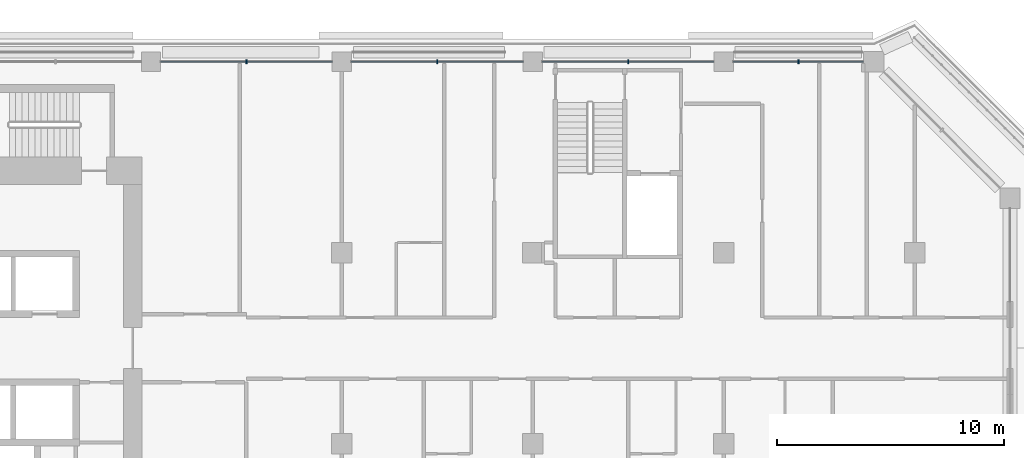
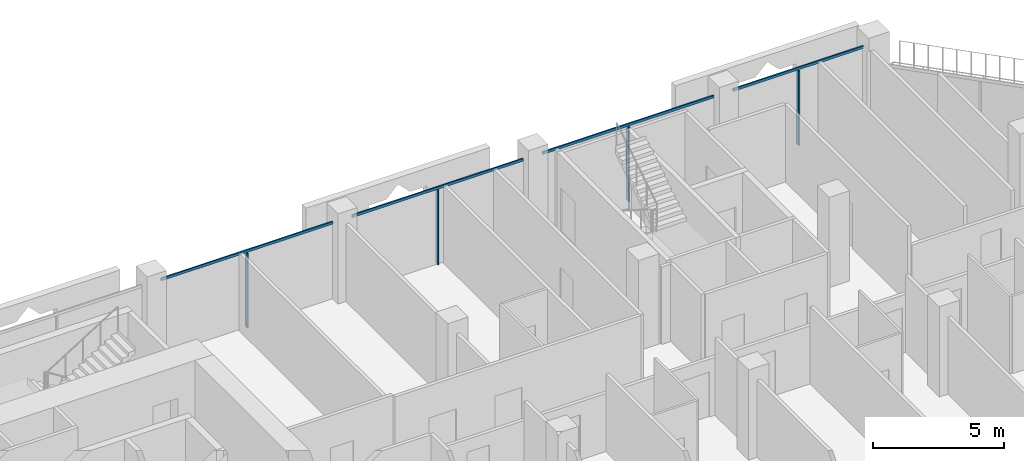
# One storey, part 6 of 21: 8 members, 1 element without a shape of its own.
"""IFC4 building model written with IfcOpenShell, lengths in metres."""

from ifc_helpers import new_model, si_unit, direction, frame, origin, origin_2d, place, context, subcontext, project, spatial, rectangle, extrude, material, layer, layer_set, material_profile, profile_set, type_object, element, aggregate, save


model = new_model("IFC4")

# Units and contexts
model_context = context("Model", 3, precision=1e-05, world=origin(), true_north=direction((0.0, 1.0)))
body_context = subcontext(model_context, "Body", "Model", "MODEL_VIEW")
ifc_project = project(units=[si_unit("LENGTHUNIT", "METRE"), si_unit("AREAUNIT", "SQUARE_METRE"), si_unit("VOLUMEUNIT", "CUBIC_METRE"), si_unit("PLANEANGLEUNIT", "RADIAN"), si_unit("MASSUNIT", "GRAM", prefix="KILO")], contexts=[model_context])

# Site, building, storey
site_placement = place(None, origin())
site = spatial("IfcSite", under=ifc_project, at=site_placement, CompositionType="ELEMENT")
building_placement = place(site_placement, origin())
building = spatial("IfcBuilding", under=site, at=building_placement, Name="Kawkab Arch Medical Tower", CompositionType="ELEMENT")
storey_placement = place(building_placement, frame((0.0, 0.0, 264.199951171875)))
storey = spatial("IfcBuildingStorey", under=building, at=storey_placement, Name="L61", CompositionType="ELEMENT", Elevation=264.199951171875)

# Curtain wall, members
ifc_material_1 = material(Name="Bronze anodised aluminium curtain wall frame", Category="aluminium")
ifc_layer = layer(ifc_material_1, 0.159912109375)
ifc_layer_set = layer_set([ifc_layer], Name="Bronze anodised aluminium curtain wall frame")
curtain_wall_type = type_object("IfcCurtainWallType", Name="CW1 ward curtain wall", PredefinedType="NOTDEFINED", material=ifc_layer_set)
curtain_wall_placement = place(storey_placement, origin())
curtain_wall = element("IfcCurtainWall", 1, at=curtain_wall_placement, inside=storey, type_object=curtain_wall_type, Name="CW1 Ward curtain wall R11", PredefinedType="NOTDEFINED")
ifc_material_2 = material(Name="Bronze anodised aluminium curtain wall frame", Category="aluminium")
ifc_material_profile_1 = material_profile(ifc_material_2, rectangle(XDim=0.179931640625, YDim=0.06005859375, at=origin_2d()), Name="AL 60x180")
ifc_profile_set_1 = profile_set([ifc_material_profile_1], Name="Bronze anodised aluminium curtain wall frame")
member_type_1 = type_object("IfcMemberType", Name="CW1 mullion 60 x 180", PredefinedType="MULLION", material=ifc_profile_set_1)
member_1_placement = place(storey_placement, frame((53.6875, 0.0, 0.0), z_axis=(0.0, 0.0, 1.0), x_axis=(0.0, -1.0, 0.0)))
member_1 = element("IfcMember", 2, at=member_1_placement, type_object=member_type_1, Name="CW1 mullion 1.1", PredefinedType="MULLION", context=body_context, shape_type="SweptSolid", body=[
    extrude(rectangle(XDim=0.179931640625, YDim=0.06005859375, at=origin_2d()), origin(), (0.0, 0.0, 1.0), 3.47998046875),
])
member_2_placement = place(storey_placement, frame((46.199951171875, 0.0, 0.0), z_axis=(0.0, 0.0, 1.0), x_axis=(0.0, -1.0, 0.0)))
member_2 = element("IfcMember", 3, at=member_2_placement, type_object=member_type_1, Name="CW1 mullion 2.1", PredefinedType="MULLION", context=body_context, shape_type="SweptSolid", body=[
    extrude(rectangle(XDim=0.179931640625, YDim=0.06005859375, at=origin_2d()), origin(), (0.0, 0.0, 1.0), 3.47998046875),
])
member_3_placement = place(storey_placement, frame((37.800048828125, 0.0, 0.0), z_axis=(0.0, 0.0, 1.0), x_axis=(0.0, -1.0, 0.0)))
member_3 = element("IfcMember", 4, at=member_3_placement, type_object=member_type_1, Name="CW1 mullion 3.1", PredefinedType="MULLION", context=body_context, shape_type="SweptSolid", body=[
    extrude(rectangle(XDim=0.179931640625, YDim=0.06005859375, at=origin_2d()), origin(), (0.0, 0.0, 1.0), 3.47998046875),
])
member_4_placement = place(storey_placement, frame((29.39990234375, 0.0, 0.0), z_axis=(0.0, 0.0, 1.0), x_axis=(0.0, -1.0, 0.0)))
member_4 = element("IfcMember", 5, at=member_4_placement, type_object=member_type_1, Name="CW1 mullion 4.1", PredefinedType="MULLION", context=body_context, shape_type="SweptSolid", body=[
    extrude(rectangle(XDim=0.179931640625, YDim=0.06005859375, at=origin_2d()), origin(), (0.0, 0.0, 1.0), 3.47998046875),
])
ifc_material_3 = material(Name="Bronze anodised aluminium curtain wall frame", Category="aluminium")
ifc_material_profile_2 = material_profile(ifc_material_3, rectangle(XDim=0.06005859375, YDim=0.1201171875, at=origin_2d()), Name="AL 60x120")
ifc_profile_set_2 = profile_set([ifc_material_profile_2], Name="Bronze anodised aluminium curtain wall frame")
member_type_2 = type_object("IfcMemberType", Name="CW1 transom 120 x 60", PredefinedType="USERDEFINED", material=ifc_profile_set_2)
member_5_placement = place(storey_placement, frame((56.550048828125, 0.0, 3.5400390625), z_axis=(-1.0, 0.0, 0.0), x_axis=(0.0, -1.0, 0.0)))
member_5 = element("IfcMember", 6, at=member_5_placement, type_object=member_type_2, Name="CW1 transom 1", ObjectType="TRANSOM", PredefinedType="USERDEFINED", context=body_context, shape_type="SweptSolid", body=[
    extrude(rectangle(XDim=0.06005859375, YDim=0.1201171875, at=origin_2d()), origin(), (0.0, 0.0, 1.0), 5.72509765625),
])
member_6_placement = place(storey_placement, frame((49.97509765625, 0.0, 3.5400390625), z_axis=(-1.0, 0.0, 0.0), x_axis=(0.0, -1.0, 0.0)))
member_6 = element("IfcMember", 7, at=member_6_placement, type_object=member_type_2, Name="CW1 transom 2", ObjectType="TRANSOM", PredefinedType="USERDEFINED", context=body_context, shape_type="SweptSolid", body=[
    extrude(rectangle(XDim=0.06005859375, YDim=0.1201171875, at=origin_2d()), origin(), (0.0, 0.0, 1.0), 7.550048828125),
])
member_7_placement = place(storey_placement, frame((41.574951171875, 0.0, 3.5400390625), z_axis=(-1.0, 0.0, 0.0), x_axis=(0.0, -1.0, 0.0)))
member_7 = element("IfcMember", 8, at=member_7_placement, type_object=member_type_2, Name="CW1 transom 3", ObjectType="TRANSOM", PredefinedType="USERDEFINED", context=body_context, shape_type="SweptSolid", body=[
    extrude(rectangle(XDim=0.06005859375, YDim=0.1201171875, at=origin_2d()), origin(), (0.0, 0.0, 1.0), 7.550048828125),
])
member_8_placement = place(storey_placement, frame((33.175048828125, 0.0, 3.5400390625), z_axis=(-1.0, 0.0, 0.0), x_axis=(0.0, -1.0, 0.0)))
member_8 = element("IfcMember", 9, at=member_8_placement, type_object=member_type_2, Name="CW1 transom 4", ObjectType="TRANSOM", PredefinedType="USERDEFINED", context=body_context, shape_type="SweptSolid", body=[
    extrude(rectangle(XDim=0.06005859375, YDim=0.1201171875, at=origin_2d()), origin(), (0.0, 0.0, 1.0), 7.550048828125),
])
aggregate(curtain_wall, [member_5, member_1, member_6, member_2, member_7, member_3, member_8, member_4])

save(model, "model.ifc")
